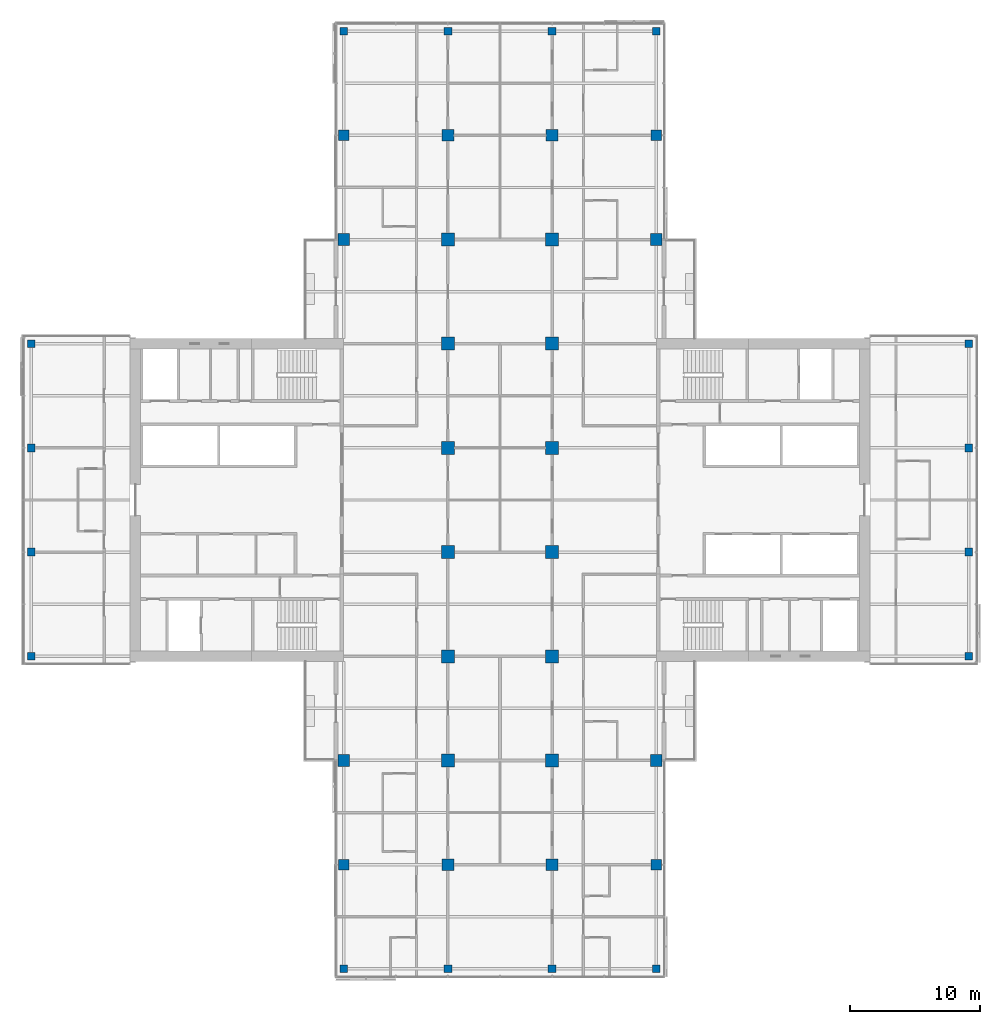
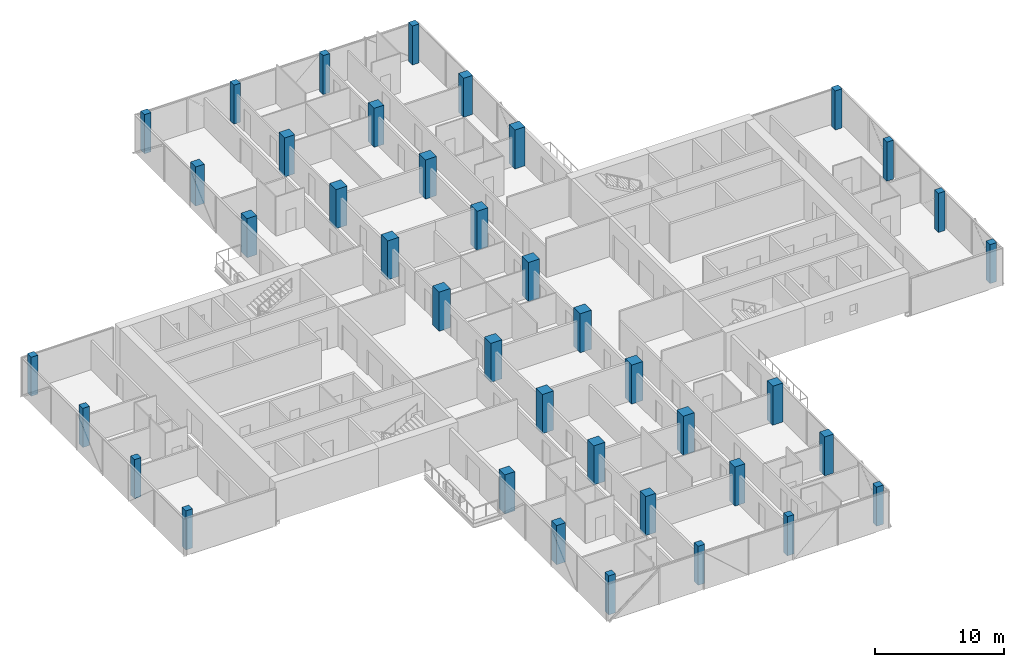
# One storey, part 1 of 27: 40 columns.
"""IFC4 building model written with IfcOpenShell, lengths in metres."""

import ifcopenshell
import ifcopenshell.guid

model = None  # the IFC model being written
_history = None  # IfcOwnerHistory: only IFC2X3 demands one
_inside = {}  # id of a spatial element -> (the spatial element, [elements in it])
_under = {}  # id of a project, library or spatial element -> (it, [spatial elements below it])
_declared = {}  # id of a project -> (the project, [libraries it declares])
_typed = {}  # id of a type object -> (the type object, [elements of that type])
_made_of = {}  # id of a material, layer set ... -> (it, [elements and type objects made of it])


def new_model(schema):
    """Start an empty IFC model of exactly this schema.

    Asked for "IFC4X3", IfcOpenShell would pick the latest addendum, in which some entities
    have other attributes; the version numbers below select the first issue.
    IFC2X3 requires an IfcOwnerHistory on every rooted entity: one is made here for all.
    """
    global model, _history
    if schema == "IFC4X3":
        model = ifcopenshell.file(schema_version=(4, 3, 0, 0))
    else:
        model = ifcopenshell.file(schema=schema)
    _inside.clear()
    _under.clear()
    _declared.clear()
    _typed.clear()
    _made_of.clear()
    _history = None
    if model.schema == "IFC2X3":
        org = make("IfcOrganization", Name="unknown")
        user = make(
            "IfcPersonAndOrganization",
            ThePerson=make("IfcPerson", FamilyName="unknown"),
            TheOrganization=org,
        )
        app = make(
            "IfcApplication",
            ApplicationDeveloper=org,
            Version="unknown",
            ApplicationFullName="unknown",
            ApplicationIdentifier="unknown",
        )
        _history = make(
            "IfcOwnerHistory",
            OwningUser=user,
            OwningApplication=app,
            ChangeAction="ADDED",
            CreationDate=0,
        )
    return model


def make(cls, **values):
    """One entity of the class cls with the attributes given. An attribute that is None is left unset."""
    return model.create_entity(
        cls, **{name: value for name, value in values.items() if value is not None}
    )


def rooted(cls, **values):
    """An entity with a GlobalId (a new one), such as an element, a storey or a relation."""
    return make(cls, GlobalId=ifcopenshell.guid.new(), OwnerHistory=_history, **values)


def si_unit(unit_type, name, prefix=None):
    """IfcSIUnit, for example si_unit("LENGTHUNIT", "METRE", prefix="MILLI")."""
    return make("IfcSIUnit", UnitType=unit_type, Prefix=prefix, Name=name)


def assignment(units):
    """IfcUnitAssignment: the units of a project."""
    return None if units is None else make("IfcUnitAssignment", Units=units)


def point(xyz):
    """IfcCartesianPoint."""
    return None if xyz is None else make("IfcCartesianPoint", Coordinates=xyz)


def direction(xyz):
    """IfcDirection."""
    return None if xyz is None else make("IfcDirection", DirectionRatios=xyz)


def frame(location, z_axis=None, x_axis=None):
    """IfcAxis2Placement3D, a coordinate frame: its origin and axes. An axis left out is left unset."""
    return make(
        "IfcAxis2Placement3D",
        Location=point(location),
        Axis=direction(z_axis),
        RefDirection=direction(x_axis),
    )


def frame_2d(location, x_axis=None):
    """IfcAxis2Placement2D, a coordinate frame in the plane: its origin and x axis."""
    return make(
        "IfcAxis2Placement2D", Location=point(location), RefDirection=direction(x_axis)
    )


def origin():
    """The frame at (0, 0, 0) with its axes left unset."""
    return frame((0.0, 0.0, 0.0))


def origin_2d():
    """The frame at (0, 0) in the plane with its x axis left unset."""
    return frame_2d((0.0, 0.0))


def place(relative_to, where):
    """IfcLocalPlacement: puts the frame where relative to a parent placement (None: the world)."""
    return make(
        "IfcLocalPlacement", PlacementRelTo=relative_to, RelativePlacement=where
    )


def context(
    kind, dimensions, precision=None, world=None, true_north=None, identifier=None
):
    """IfcGeometricRepresentationContext, for example the 3D "Model" context."""
    return make(
        "IfcGeometricRepresentationContext",
        ContextIdentifier=identifier,
        ContextType=kind,
        CoordinateSpaceDimension=dimensions,
        Precision=precision,
        WorldCoordinateSystem=world,
        TrueNorth=true_north,
    )


def subcontext(parent, identifier, kind, view, scale=None):
    """IfcGeometricRepresentationSubContext, for example "Body" below "Model"."""
    return make(
        "IfcGeometricRepresentationSubContext",
        ContextIdentifier=identifier,
        ContextType=kind,
        ParentContext=parent,
        TargetScale=scale,
        TargetView=view,
    )


def project(units=None, contexts=None):
    """IfcProject with its units and contexts."""
    return rooted(
        "IfcProject",
        Name="project",
        RepresentationContexts=contexts,
        UnitsInContext=assignment(units),
    )


def spatial(cls, under=None, at=None, **own):
    """A site, building, storey or space (cls), placed at a placement, below another one or the project."""
    s = rooted(cls, ObjectPlacement=at, **own)
    if under is not None:
        _under.setdefault(under.id(), (under, []))[1].append(s)
    return s


def profile(cls, at=None, kind="AREA", **sizes):
    """A parametric profile (cls). Its sizes go by their IFC names, for example OverallWidth=200.0."""
    return make(cls, ProfileType=kind, Position=at, **sizes)


def rectangle(**sizes):
    """IfcRectangleProfileDef."""
    return profile("IfcRectangleProfileDef", **sizes)


def extrude(swept, where, along, depth):
    """IfcExtrudedAreaSolid: the profile swept, set in the frame where, extruded along a direction by depth."""
    return make(
        "IfcExtrudedAreaSolid",
        SweptArea=swept,
        Position=where,
        ExtrudedDirection=direction(along),
        Depth=depth,
    )


def shape(context_of_items, identifier, shape_type, items):
    """IfcShapeRepresentation: the items that make up one representation, for example the "Body"."""
    return make(
        "IfcShapeRepresentation",
        ContextOfItems=context_of_items,
        RepresentationIdentifier=identifier,
        RepresentationType=shape_type,
        Items=items,
    )


def material(Name=None, Category=None):
    """IfcMaterial."""
    return make("IfcMaterial", Name=Name, Category=Category)


def material_profile(
    of_material, cross_section, Name=None, Category=None, Priority=None
):
    """IfcMaterialProfile: a cross section and its material."""
    return make(
        "IfcMaterialProfile",
        Name=Name,
        Material=of_material,
        Profile=cross_section,
        Priority=Priority,
        Category=Category,
    )


def profile_set(profiles, Name=None, composite=None):
    """IfcMaterialProfileSet."""
    return make(
        "IfcMaterialProfileSet",
        Name=Name,
        MaterialProfiles=profiles,
        CompositeProfile=composite,
    )


def made_of(thing, what):
    """Note that an element or type object is made of a material, layer set ...; save() writes the relation."""
    if what is not None:
        _made_of.setdefault(what.id(), (what, []))[1].append(thing)
    return thing


def type_object(cls, material=None, **own):
    """A type object (cls), such as IfcWallType, which elements share."""
    return made_of(rooted(cls, **own), material)


def element(
    cls,
    number,
    at=None,
    inside=None,
    cuts=None,
    type_object=None,
    material=None,
    context=None,
    identifier="Body",
    shape_type=None,
    held_by="IfcProductDefinitionShape",
    body=None,
    shapes=None,
    **own,
):
    """One element of the class cls, such as IfcWall. Its Tag is "e" and its number.

    at: its placement. inside: the storey or other place that contains it. cuts: it is an
    opening in that element (IfcRelVoidsElement). A single representation is given by context,
    identifier, shape_type and body (its items); several are given by shapes. held_by: the class
    of the entity that holds the representations. save() writes the other relations.
    """
    e = rooted(cls, Tag="e%d" % number, ObjectPlacement=at, **own)
    if body is not None:
        shapes = [shape(context, identifier, shape_type, body)]
    if shapes is not None:
        e.Representation = make(held_by, Representations=shapes)
    if inside is not None:
        _inside.setdefault(inside.id(), (inside, []))[1].append(e)
    if cuts is not None:
        rooted(
            "IfcRelVoidsElement", RelatingBuildingElement=cuts, RelatedOpeningElement=e
        )
    if type_object is not None:
        _typed.setdefault(type_object.id(), (type_object, []))[1].append(e)
    return made_of(e, material)


def aggregate(whole, parts):
    """IfcRelAggregates: a whole, such as a stair, and the parts it consists of."""
    return rooted("IfcRelAggregates", RelatingObject=whole, RelatedObjects=parts)


def save(model, path):
    """Write the relations noted so far, then the file.

    IfcRelAggregates (storeys below a building ...), IfcRelContainedInSpatialStructure (elements
    in a storey), IfcRelDefinesByType, IfcRelAssociatesMaterial and IfcRelDeclares: one each for
    every whole, place, type object, material and project.
    """
    for whole, parts in _under.values():
        aggregate(whole, parts)
    for where, things in _inside.values():
        rooted(
            "IfcRelContainedInSpatialStructure",
            RelatedElements=things,
            RelatingStructure=where,
        )
    for kind, things in _typed.values():
        rooted("IfcRelDefinesByType", RelatedObjects=things, RelatingType=kind)
    for what, things in _made_of.values():
        rooted("IfcRelAssociatesMaterial", RelatedObjects=things, RelatingMaterial=what)
    for by, libraries in _declared.values():
        rooted("IfcRelDeclares", RelatingContext=by, RelatedDefinitions=libraries)
    model.write(path)


model = new_model("IFC4")

# Units and contexts
model_context = context("Model", 3, precision=1e-05, world=origin(), true_north=direction((0.0, 1.0)))
body_context = subcontext(model_context, "Body", "Model", "MODEL_VIEW")
ifc_project = project(units=[si_unit("LENGTHUNIT", "METRE"), si_unit("AREAUNIT", "SQUARE_METRE"), si_unit("VOLUMEUNIT", "CUBIC_METRE"), si_unit("PLANEANGLEUNIT", "RADIAN"), si_unit("MASSUNIT", "GRAM", prefix="KILO")], contexts=[model_context])

# Site, building, storey
site_placement = place(None, origin())
site = spatial("IfcSite", under=ifc_project, at=site_placement, CompositionType="ELEMENT")
building_placement = place(site_placement, origin())
building = spatial("IfcBuilding", under=site, at=building_placement, Name="Crosswind Convention Tower", CompositionType="ELEMENT")
storey_placement = place(building_placement, frame((0.0, 0.0, 101.60009765625)))
storey = spatial("IfcBuildingStorey", under=building, at=storey_placement, Name="L20", CompositionType="ELEMENT", Elevation=101.60009765625)

# Columns
ifc_material_1 = material(Name="Concrete C70/85", Category="concrete")
ifc_material_profile_1 = material_profile(ifc_material_1, rectangle(XDim=1.0, YDim=1.0, at=origin_2d()), Name="RC 1000X1000")
ifc_profile_set_1 = profile_set([ifc_material_profile_1], Name="Concrete C70/85")
column_type_1 = type_object("IfcColumnType", Name="Column RC 1000X1000", PredefinedType="COLUMN", material=ifc_profile_set_1)
for number, where, z_axis, x_axis, name in (
    (1, (121.0, 80.0, 0.0), (0.0, 0.0, 1.0), (1.0, 0.0, 0.0), "C12 L20 6/D"),
    (2, (121.0, 88.0, 0.0), (0.0, 0.0, 1.0), (1.0, 0.0, 0.0), "C12 L20 6/E"),
    (3, (121.0, 96.0, 0.0), (0.0, 0.0, 1.0), (1.0, 0.0, 0.0), "C12 L20 6/F"),
    (4, (121.0, 104.0, 0.0), (0.0, 0.0, 1.0), (1.0, 0.0, 0.0), "C12 L20 6/G"),
    (5, (121.0, 112.0, 0.0), (0.0, 0.0, 1.0), (1.0, 0.0, 0.0), "C12 L20 6/H"),
    (6, (121.0, 120.0, 0.0), (0.0, 0.0, 1.0), (1.0, 0.0, 0.0), "C12 L20 6/I"),
    (7, (129.0, 80.0, 0.0), (0.0, 0.0, 1.0), (1.0, 0.0, 0.0), "C12 L20 7/D"),
    (8, (129.0, 88.0, 0.0), (0.0, 0.0, 1.0), (1.0, 0.0, 0.0), "C12 L20 7/E"),
    (9, (129.0, 96.0, 0.0), (0.0, 0.0, 1.0), (1.0, 0.0, 0.0), "C12 L20 7/F"),
    (10, (129.0, 104.0, 0.0), (0.0, 0.0, 1.0), (1.0, 0.0, 0.0), "C12 L20 7/G"),
    (11, (129.0, 112.0, 0.0), (0.0, 0.0, 1.0), (1.0, 0.0, 0.0), "C12 L20 7/H"),
    (12, (129.0, 120.0, 0.0), (0.0, 0.0, 1.0), (1.0, 0.0, 0.0), "C12 L20 7/I"),
):
    element("IfcColumn", number, at=place(storey_placement, frame(where, z_axis=z_axis, x_axis=x_axis)), inside=storey, type_object=column_type_1, Name=name, PredefinedType="COLUMN", context=body_context, shape_type="SweptSolid", body=[
        extrude(rectangle(XDim=1.0, YDim=1.0, at=origin_2d()), origin(), (0.0, 0.0, 1.0), 3.699951171875),
    ])
ifc_material_2 = material(Name="Concrete C60/75", Category="concrete")
ifc_material_profile_2 = material_profile(ifc_material_2, rectangle(XDim=0.60009765625, YDim=0.60009765625, at=origin_2d()), Name="RC 600X600")
ifc_profile_set_2 = profile_set([ifc_material_profile_2], Name="Concrete C60/75")
column_type_2 = type_object("IfcColumnType", Name="Column RC 600X600", PredefinedType="COLUMN", material=ifc_profile_set_2)
for number, where, z_axis, x_axis, name in (
    (13, (89.0, 88.0, 0.0), (0.0, 0.0, 1.0), (1.0, 0.0, 0.0), "C16 L20 2/E"),
    (14, (89.0, 96.0, 0.0), (0.0, 0.0, 1.0), (1.0, 0.0, 0.0), "C16 L20 2/F"),
    (15, (89.0, 104.0, 0.0), (0.0, 0.0, 1.0), (1.0, 0.0, 0.0), "C16 L20 2/G"),
    (16, (89.0, 112.0, 0.0), (0.0, 0.0, 1.0), (1.0, 0.0, 0.0), "C16 L20 2/H"),
    (17, (113.0, 64.0, 0.0), (0.0, 0.0, 1.0), (1.0, 0.0, 0.0), "C16 L20 5/B"),
    (18, (113.0, 136.0, 0.0), (0.0, 0.0, 1.0), (1.0, 0.0, 0.0), "C16 L20 5/K"),
    (19, (121.0, 64.0, 0.0), (0.0, 0.0, 1.0), (1.0, 0.0, 0.0), "C16 L20 6/B"),
    (20, (121.0, 136.0, 0.0), (0.0, 0.0, 1.0), (1.0, 0.0, 0.0), "C16 L20 6/K"),
    (21, (129.0, 64.0, 0.0), (0.0, 0.0, 1.0), (1.0, 0.0, 0.0), "C16 L20 7/B"),
    (22, (129.0, 136.0, 0.0), (0.0, 0.0, 1.0), (1.0, 0.0, 0.0), "C16 L20 7/K"),
    (23, (137.0, 64.0, 0.0), (0.0, 0.0, 1.0), (1.0, 0.0, 0.0), "C16 L20 8/B"),
    (24, (137.0, 136.0, 0.0), (0.0, 0.0, 1.0), (1.0, 0.0, 0.0), "C16 L20 8/K"),
    (25, (161.0, 88.0, 0.0), (0.0, 0.0, 1.0), (1.0, 0.0, 0.0), "C16 L20 11/E"),
    (26, (161.0, 96.0, 0.0), (0.0, 0.0, 1.0), (1.0, 0.0, 0.0), "C16 L20 11/F"),
    (27, (161.0, 104.0, 0.0), (0.0, 0.0, 1.0), (1.0, 0.0, 0.0), "C16 L20 11/G"),
    (28, (161.0, 112.0, 0.0), (0.0, 0.0, 1.0), (1.0, 0.0, 0.0), "C16 L20 11/H"),
):
    element("IfcColumn", number, at=place(storey_placement, frame(where, z_axis=z_axis, x_axis=x_axis)), inside=storey, type_object=column_type_2, Name=name, PredefinedType="COLUMN", context=body_context, shape_type="SweptSolid", body=[
        extrude(rectangle(XDim=0.60009765625, YDim=0.60009765625, at=origin_2d()), origin(), (0.0, 0.0, 1.0), 3.699951171875),
    ])
ifc_material_profile_3 = material_profile(ifc_material_2, rectangle(XDim=0.800048828125, YDim=0.800048828125, at=origin_2d()), Name="RC 800X800")
ifc_profile_set_3 = profile_set([ifc_material_profile_3], Name="Concrete C60/75")
column_type_3 = type_object("IfcColumnType", Name="Column RC 800X800", PredefinedType="COLUMN", material=ifc_profile_set_3)
for number, where, z_axis, x_axis, name in (
    (29, (113.0, 72.0, 0.0), (0.0, 0.0, 1.0), (1.0, 0.0, 0.0), "C14 L20 5/C"),
    (30, (113.0, 128.0, 0.0), (0.0, 0.0, 1.0), (1.0, 0.0, 0.0), "C14 L20 5/J"),
    (31, (137.0, 72.0, 0.0), (0.0, 0.0, 1.0), (1.0, 0.0, 0.0), "C14 L20 8/C"),
    (32, (137.0, 128.0, 0.0), (0.0, 0.0, 1.0), (1.0, 0.0, 0.0), "C14 L20 8/J"),
):
    element("IfcColumn", number, at=place(storey_placement, frame(where, z_axis=z_axis, x_axis=x_axis)), inside=storey, type_object=column_type_3, Name=name, PredefinedType="COLUMN", context=body_context, shape_type="SweptSolid", body=[
        extrude(rectangle(XDim=0.800048828125, YDim=0.800048828125, at=origin_2d()), origin(), (0.0, 0.0, 1.0), 3.699951171875),
    ])
ifc_material_profile_4 = material_profile(ifc_material_2, rectangle(XDim=0.89990234375, YDim=0.89990234375, at=origin_2d()), Name="RC 900X900")
ifc_profile_set_4 = profile_set([ifc_material_profile_4], Name="Concrete C60/75")
column_type_4 = type_object("IfcColumnType", Name="Column RC 900X900", PredefinedType="COLUMN", material=ifc_profile_set_4)
for number, where, z_axis, x_axis, name in (
    (33, (113.0, 80.0, 0.0), (0.0, 0.0, 1.0), (1.0, 0.0, 0.0), "C13 L20 5/D"),
    (34, (113.0, 120.0, 0.0), (0.0, 0.0, 1.0), (1.0, 0.0, 0.0), "C13 L20 5/I"),
    (35, (121.0, 72.0, 0.0), (0.0, 0.0, 1.0), (1.0, 0.0, 0.0), "C13 L20 6/C"),
    (36, (121.0, 128.0, 0.0), (0.0, 0.0, 1.0), (1.0, 0.0, 0.0), "C13 L20 6/J"),
    (37, (129.0, 72.0, 0.0), (0.0, 0.0, 1.0), (1.0, 0.0, 0.0), "C13 L20 7/C"),
    (38, (129.0, 128.0, 0.0), (0.0, 0.0, 1.0), (1.0, 0.0, 0.0), "C13 L20 7/J"),
    (39, (137.0, 80.0, 0.0), (0.0, 0.0, 1.0), (1.0, 0.0, 0.0), "C13 L20 8/D"),
    (40, (137.0, 120.0, 0.0), (0.0, 0.0, 1.0), (1.0, 0.0, 0.0), "C13 L20 8/I"),
):
    element("IfcColumn", number, at=place(storey_placement, frame(where, z_axis=z_axis, x_axis=x_axis)), inside=storey, type_object=column_type_4, Name=name, PredefinedType="COLUMN", context=body_context, shape_type="SweptSolid", body=[
        extrude(rectangle(XDim=0.89990234375, YDim=0.89990234375, at=origin_2d()), origin(), (0.0, 0.0, 1.0), 3.699951171875),
    ])

save(model, "model.ifc")
